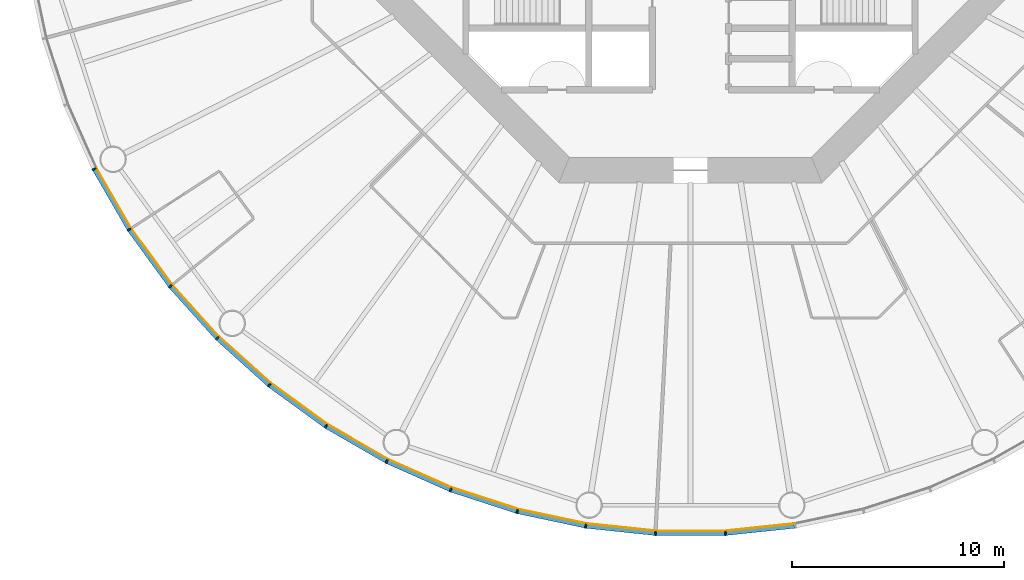
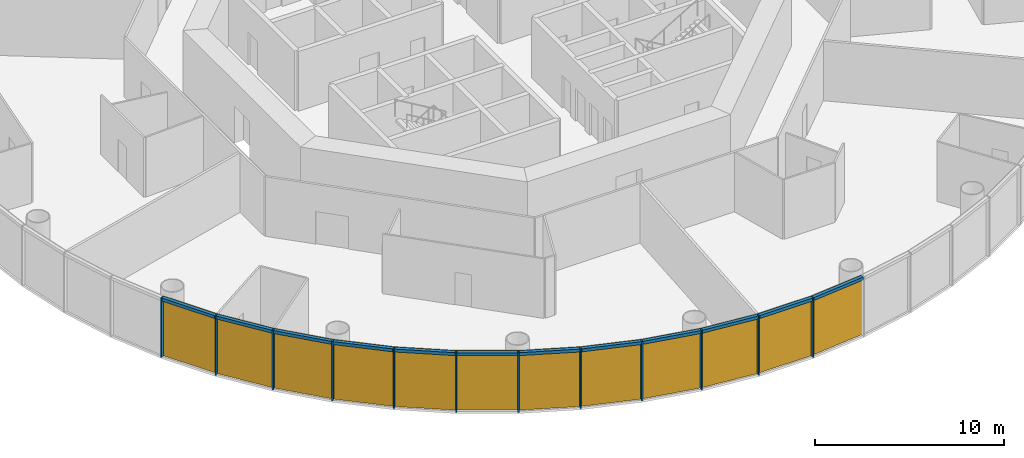
# One storey, part 7 of 13: 24 members, 4 curtain walls.
"""IFC4 building model written with IfcOpenShell, lengths in metres."""

from ifc_helpers import new_model, si_unit, direction, frame, origin, origin_2d, place, context, subcontext, project, spatial, polyline, rectangle, outline, extrude, material, layer, layer_set, material_profile, profile_set, type_object, element, aggregate, save


model = new_model("IFC4")

# Units and contexts
model_context = context("Model", 3, precision=1e-05, world=origin(), true_north=direction((0.0, 1.0)))
body_context = subcontext(model_context, "Body", "Model", "MODEL_VIEW")
ifc_project = project(units=[si_unit("LENGTHUNIT", "METRE"), si_unit("AREAUNIT", "SQUARE_METRE"), si_unit("VOLUMEUNIT", "CUBIC_METRE"), si_unit("PLANEANGLEUNIT", "RADIAN"), si_unit("MASSUNIT", "GRAM", prefix="KILO")], contexts=[model_context])

# Member
ifc_material_1 = material(Name="Anodised aluminium", Category="aluminium")
ifc_material_profile_1 = material_profile(ifc_material_1, rectangle(XDim=0.070068359375, YDim=0.199951171875, at=origin_2d()), Name="Mullion 70 x 200 mm anodised aluminium")
ifc_profile_set_1 = profile_set([ifc_material_profile_1], Name="Anodised aluminium")
member_type_1 = type_object("IfcMemberType", Name="Mullion 70 x 200 mm anodised aluminium", PredefinedType="MULLION", material=ifc_profile_set_1)
site_placement = place(None, origin())
building_placement = place(site_placement, origin())
storey_placement = place(building_placement, frame((0.0, 0.0, 84.0)))
member_1_placement = place(storey_placement, frame((61.84423828125, 65.65380859375, 0.0), z_axis=(0.0, 0.0, 1.0), x_axis=(0.45399049974, -0.891006524188, 0.0)))
member_1 = element("IfcMember", 1, at=member_1_placement, type_object=member_type_1, Name="MULLION L18-33", PredefinedType="MULLION", context=body_context, shape_type="SweptSolid", body=[
    extrude(rectangle(XDim=0.070068359375, YDim=0.199951171875, at=origin_2d()), origin(), (0.0, 0.0, 1.0), 3.85009765625),
])

member_2_placement = place(storey_placement, frame((63.498046875, 62.789306640625, 0.0), z_axis=(0.0, 0.0, 1.0), x_axis=(0.544639035015, -0.838670567945, 0.0)))
member_2 = element("IfcMember", 2, at=member_2_placement, type_object=member_type_1, Name="MULLION L18-34", PredefinedType="MULLION", context=body_context, shape_type="SweptSolid", body=[
    extrude(rectangle(XDim=0.070068359375, YDim=0.199951171875, at=origin_2d()), origin(), (0.0, 0.0, 1.0), 3.85009765625),
])

member_3_placement = place(storey_placement, frame((65.442138671875, 60.113525390625, 0.0), z_axis=(0.0, 0.0, 1.0), x_axis=(0.62932039105, -0.777145961457, 0.0)))
member_3 = element("IfcMember", 3, at=member_3_placement, type_object=member_type_1, Name="MULLION L18-35", PredefinedType="MULLION", context=body_context, shape_type="SweptSolid", body=[
    extrude(rectangle(XDim=0.070068359375, YDim=0.199951171875, at=origin_2d()), origin(), (0.0, 0.0, 1.0), 3.85009765625),
])

member_4_placement = place(storey_placement, frame((67.655517578125, 57.655517578125, 0.0), z_axis=(0.0, 0.0, 1.0), x_axis=(0.707106781187, -0.707106781187, 0.0)))
member_4 = element("IfcMember", 4, at=member_4_placement, type_object=member_type_1, Name="MULLION L18-36", PredefinedType="MULLION", context=body_context, shape_type="SweptSolid", body=[
    extrude(rectangle(XDim=0.070068359375, YDim=0.199951171875, at=origin_2d()), origin(), (0.0, 0.0, 1.0), 3.85009765625),
])

member_5_placement = place(storey_placement, frame((70.113525390625, 55.442138671875, 0.0), z_axis=(0.0, 0.0, 1.0), x_axis=(0.777145961457, -0.62932039105, 0.0)))
member_5 = element("IfcMember", 5, at=member_5_placement, type_object=member_type_1, Name="MULLION L18-37", PredefinedType="MULLION", context=body_context, shape_type="SweptSolid", body=[
    extrude(rectangle(XDim=0.070068359375, YDim=0.199951171875, at=origin_2d()), origin(), (0.0, 0.0, 1.0), 3.85009765625),
])

member_6_placement = place(storey_placement, frame((72.789306640625, 53.498046875, 0.0), z_axis=(0.0, 0.0, 1.0), x_axis=(0.838670567945, -0.544639035015, 0.0)))
member_6 = element("IfcMember", 6, at=member_6_placement, type_object=member_type_1, Name="MULLION L18-38", PredefinedType="MULLION", context=body_context, shape_type="SweptSolid", body=[
    extrude(rectangle(XDim=0.070068359375, YDim=0.199951171875, at=origin_2d()), origin(), (0.0, 0.0, 1.0), 3.85009765625),
])

member_7_placement = place(storey_placement, frame((75.65380859375, 51.84423828125, 0.0), z_axis=(0.0, 0.0, 1.0), x_axis=(0.891006524188, -0.45399049974, 0.0)))
member_7 = element("IfcMember", 7, at=member_7_placement, type_object=member_type_1, Name="MULLION L18-39", PredefinedType="MULLION", context=body_context, shape_type="SweptSolid", body=[
    extrude(rectangle(XDim=0.070068359375, YDim=0.199951171875, at=origin_2d()), origin(), (0.0, 0.0, 1.0), 3.85009765625),
])

member_8_placement = place(storey_placement, frame((78.675537109375, 50.498779296875, 0.0), z_axis=(0.0, 0.0, 1.0), x_axis=(0.933580426497, -0.358367949545, 0.0)))
member_8 = element("IfcMember", 8, at=member_8_placement, type_object=member_type_1, Name="MULLION L18-40", PredefinedType="MULLION", context=body_context, shape_type="SweptSolid", body=[
    extrude(rectangle(XDim=0.070068359375, YDim=0.199951171875, at=origin_2d()), origin(), (0.0, 0.0, 1.0), 3.85009765625),
])

member_9_placement = place(storey_placement, frame((81.8212890625, 49.476806640625, 0.0), z_axis=(0.0, 0.0, 1.0), x_axis=(0.965925826289, -0.258819045103, 0.0)))
member_9 = element("IfcMember", 9, at=member_9_placement, type_object=member_type_1, Name="MULLION L18-41", PredefinedType="MULLION", context=body_context, shape_type="SweptSolid", body=[
    extrude(rectangle(XDim=0.070068359375, YDim=0.199951171875, at=origin_2d()), origin(), (0.0, 0.0, 1.0), 3.85009765625),
])

member_10_placement = place(storey_placement, frame((85.056640625, 48.7890625, 0.0), z_axis=(0.0, 0.0, 1.0), x_axis=(0.987688340595, -0.15643446504, 0.0)))
member_10 = element("IfcMember", 10, at=member_10_placement, type_object=member_type_1, Name="MULLION L18-42", PredefinedType="MULLION", context=body_context, shape_type="SweptSolid", body=[
    extrude(rectangle(XDim=0.070068359375, YDim=0.199951171875, at=origin_2d()), origin(), (0.0, 0.0, 1.0), 3.85009765625),
])

member_11_placement = place(storey_placement, frame((88.34619140625, 48.443359375, 0.0), z_axis=(0.0, 0.0, 1.0), x_axis=(0.998629534755, -0.052335956243, 0.0)))
member_11 = element("IfcMember", 11, at=member_11_placement, type_object=member_type_1, Name="MULLION L18-43", PredefinedType="MULLION", context=body_context, shape_type="SweptSolid", body=[
    extrude(rectangle(XDim=0.070068359375, YDim=0.199951171875, at=origin_2d()), origin(), (0.0, 0.0, 1.0), 3.85009765625),
])

member_12_placement = place(storey_placement, frame((91.65380859375, 48.443359375, 0.0), z_axis=(0.0, 0.0, 1.0), x_axis=(0.998629534755, 0.052335956243, 0.0)))
member_12 = element("IfcMember", 12, at=member_12_placement, type_object=member_type_1, Name="MULLION L18-44", PredefinedType="MULLION", context=body_context, shape_type="SweptSolid", body=[
    extrude(rectangle(XDim=0.070068359375, YDim=0.199951171875, at=origin_2d()), origin(), (0.0, 0.0, 1.0), 3.85009765625),
])

ifc_material_2 = material(Name="Anodised aluminium", Category="aluminium")
ifc_material_profile_2 = material_profile(ifc_material_2, rectangle(XDim=0.199951171875, YDim=0.18994140625, at=origin_2d()), Name="Transom 190 x 200 mm anodised aluminium")
ifc_profile_set_2 = profile_set([ifc_material_profile_2], Name="Anodised aluminium")
member_type_2 = type_object("IfcMemberType", Name="Transom 190 x 200 mm anodised aluminium", PredefinedType="USERDEFINED", material=ifc_profile_set_2)
member_13_placement = place(storey_placement, frame((61.8642578125, 65.618896484375, 3.7548828125), z_axis=(0.500004055213, -0.866023062494, 0.0), x_axis=(0.866023062494, 0.500004055213, 0.0)))
member_13 = element("IfcMember", 13, at=member_13_placement, type_object=member_type_2, Name="TRANSOM L18-33", ObjectType="TRANSOM", PredefinedType="USERDEFINED", context=body_context, shape_type="SweptSolid", body=[
    extrude(rectangle(XDim=0.199951171875, YDim=0.18994140625, at=origin_2d()), origin(), (0.0, 0.0, 1.0), 3.22705078125),
])

member_14_placement = place(storey_placement, frame((63.521484375, 62.7568359375, 3.7548828125), z_axis=(0.587802790201, -0.809004252048, 0.0), x_axis=(0.809004252048, 0.587802790201, 0.0)))
member_14 = element("IfcMember", 14, at=member_14_placement, type_object=member_type_2, Name="TRANSOM L18-34", ObjectType="TRANSOM", PredefinedType="USERDEFINED", context=body_context, shape_type="SweptSolid", body=[
    extrude(rectangle(XDim=0.199951171875, YDim=0.18994140625, at=origin_2d()), origin(), (0.0, 0.0, 1.0), 3.227294921875),
])

member_15_placement = place(storey_placement, frame((65.468994140625, 60.08349609375, 3.7548828125), z_axis=(0.669144438484, -0.743132370743, 0.0), x_axis=(0.743132370743, 0.669144438484, 0.0)))
member_15 = element("IfcMember", 15, at=member_15_placement, type_object=member_type_2, Name="TRANSOM L18-35", ObjectType="TRANSOM", PredefinedType="USERDEFINED", context=body_context, shape_type="SweptSolid", body=[
    extrude(rectangle(XDim=0.199951171875, YDim=0.18994140625, at=origin_2d()), origin(), (0.0, 0.0, 1.0), 3.22705078125),
])

member_16_placement = place(storey_placement, frame((67.685302734375, 57.62841796875, 3.7548828125), z_axis=(0.743132370743, -0.669144438484, 0.0), x_axis=(0.669144438484, 0.743132370743, 0.0)))
member_16 = element("IfcMember", 16, at=member_16_placement, type_object=member_type_2, Name="TRANSOM L18-36", ObjectType="TRANSOM", PredefinedType="USERDEFINED", context=body_context, shape_type="SweptSolid", body=[
    extrude(rectangle(XDim=0.199951171875, YDim=0.18994140625, at=origin_2d()), origin(), (0.0, 0.0, 1.0), 3.22705078125),
])

member_17_placement = place(storey_placement, frame((70.14599609375, 55.41845703125, 3.7548828125), z_axis=(0.809004252048, -0.587802790201, 0.0), x_axis=(0.587802790201, 0.809004252048, 0.0)))
member_17 = element("IfcMember", 17, at=member_17_placement, type_object=member_type_2, Name="TRANSOM L18-37", ObjectType="TRANSOM", PredefinedType="USERDEFINED", context=body_context, shape_type="SweptSolid", body=[
    extrude(rectangle(XDim=0.199951171875, YDim=0.18994140625, at=origin_2d()), origin(), (0.0, 0.0, 1.0), 3.227294921875),
])

member_18_placement = place(storey_placement, frame((72.82421875, 53.477783203125, 3.7548828125), z_axis=(0.866023062494, -0.500004055213, 0.0), x_axis=(0.500004055213, 0.866023062494, 0.0)))
member_18 = element("IfcMember", 18, at=member_18_placement, type_object=member_type_2, Name="TRANSOM L18-38", ObjectType="TRANSOM", PredefinedType="USERDEFINED", context=body_context, shape_type="SweptSolid", body=[
    extrude(rectangle(XDim=0.199951171875, YDim=0.18994140625, at=origin_2d()), origin(), (0.0, 0.0, 1.0), 3.22705078125),
])

member_19_placement = place(storey_placement, frame((75.690673828125, 51.82763671875, 3.7548828125), z_axis=(0.913549291349, -0.406728032322, 0.0), x_axis=(0.406728032322, 0.913549291349, 0.0)))
member_19 = element("IfcMember", 19, at=member_19_placement, type_object=member_type_2, Name="TRANSOM L18-39", ObjectType="TRANSOM", PredefinedType="USERDEFINED", context=body_context, shape_type="SweptSolid", body=[
    extrude(rectangle(XDim=0.199951171875, YDim=0.18994140625, at=origin_2d()), origin(), (0.0, 0.0, 1.0), 3.22705078125),
])

member_20_placement = place(storey_placement, frame((78.7138671875, 50.486328125, 3.7548828125), z_axis=(0.951046855117, -0.309046726844, 0.0), x_axis=(0.309046726844, 0.951046855117, 0.0)))
member_20 = element("IfcMember", 20, at=member_20_placement, type_object=member_type_2, Name="TRANSOM L18-40", ObjectType="TRANSOM", PredefinedType="USERDEFINED", context=body_context, shape_type="SweptSolid", body=[
    extrude(rectangle(XDim=0.199951171875, YDim=0.18994140625, at=origin_2d()), origin(), (0.0, 0.0, 1.0), 3.22705078125),
])

member_21_placement = place(storey_placement, frame((81.860595703125, 49.46826171875, 3.7548828125), z_axis=(0.978153082647, -0.207885898771, 0.0), x_axis=(0.207885898771, 0.978153082647, 0.0)))
member_21 = element("IfcMember", 21, at=member_21_placement, type_object=member_type_2, Name="TRANSOM L18-41", ObjectType="TRANSOM", PredefinedType="USERDEFINED", context=body_context, shape_type="SweptSolid", body=[
    extrude(rectangle(XDim=0.199951171875, YDim=0.18994140625, at=origin_2d()), origin(), (0.0, 0.0, 1.0), 3.227294921875),
])

member_22_placement = place(storey_placement, frame((85.0966796875, 48.78466796875, 3.7548828125), z_axis=(0.994519537956, -0.104550890115, 0.0), x_axis=(0.104550890115, 0.994519537956, 0.0)))
member_22 = element("IfcMember", 22, at=member_22_placement, type_object=member_type_2, Name="TRANSOM L18-42", ObjectType="TRANSOM", PredefinedType="USERDEFINED", context=body_context, shape_type="SweptSolid", body=[
    extrude(rectangle(XDim=0.199951171875, YDim=0.18994140625, at=origin_2d()), origin(), (0.0, 0.0, 1.0), 3.22705078125),
])

member_23_placement = place(storey_placement, frame((88.386474609375, 48.443115234375, 3.7548828125), z_axis=(1.0, 0.0, 0.0), x_axis=(0.0, 1.0, 0.0)))
member_23 = element("IfcMember", 23, at=member_23_placement, type_object=member_type_2, Name="TRANSOM L18-43", ObjectType="TRANSOM", PredefinedType="USERDEFINED", context=body_context, shape_type="SweptSolid", body=[
    extrude(rectangle(XDim=0.199951171875, YDim=0.18994140625, at=origin_2d()), origin(), (0.0, 0.0, 1.0), 3.22705078125),
])

member_24_placement = place(storey_placement, frame((91.69384765625, 48.447265625, 3.7548828125), z_axis=(0.994519537956, 0.104550890115, 0.0), x_axis=(-0.104550890115, 0.994519537956, 0.0)))
member_24 = element("IfcMember", 24, at=member_24_placement, type_object=member_type_2, Name="TRANSOM L18-44", ObjectType="TRANSOM", PredefinedType="USERDEFINED", context=body_context, shape_type="SweptSolid", body=[
    extrude(rectangle(XDim=0.199951171875, YDim=0.18994140625, at=origin_2d()), origin(), (0.0, 0.0, 1.0), 3.22705078125),
])

# Site, building, storey
site = spatial("IfcSite", under=ifc_project, at=site_placement, CompositionType="ELEMENT")
building = spatial("IfcBuilding", under=site, at=building_placement, Name="Entoto Ring Tower", CompositionType="ELEMENT")
storey = spatial("IfcBuildingStorey", under=building, at=storey_placement, Name="L18", CompositionType="ELEMENT", Elevation=84.0)

# Curtain wall
ifc_material_3 = material(Name="Clear low-iron glass", Category="glass")
ifc_layer = layer(ifc_material_3, 0.035888671875)
ifc_layer_set = layer_set([ifc_layer], Name="Clear low-iron glass")
curtain_wall_type = type_object("IfcCurtainWallType", Name="Curtain wall system CW2 glazing 36 mm", PredefinedType="NOTDEFINED", material=ifc_layer_set)
curtain_wall_1_placement = place(storey_placement, origin())
curtain_wall_1 = element("IfcCurtainWall", 25, at=curtain_wall_1_placement, inside=storey, type_object=curtain_wall_type, Name="CW2 L18-12", PredefinedType="NOTDEFINED", context=body_context, shape_type="SweptSolid", body=[
    extrude(outline(polyline([(61.933349609375, 65.69921875), (63.581787109375, 62.84375), (65.52001953125, 60.176513671875), (67.72607421875, 57.72607421875), (67.751708984375, 57.751708984375), (65.5478515625, 60.198974609375), (63.612060546875, 62.863525390625), (61.96533203125, 65.715576171875), (61.933349609375, 65.69921875)])), origin(), (0.0, 0.0, 1.0), 3.85009765625),
])

aggregate(curtain_wall_1, [member_1, member_2, member_3, member_13, member_14, member_15])

curtain_wall_2_placement = place(storey_placement, origin())
curtain_wall_2 = element("IfcCurtainWall", 26, at=curtain_wall_2_placement, inside=storey, type_object=curtain_wall_type, Name="CW2 L18-13", PredefinedType="NOTDEFINED", context=body_context, shape_type="SweptSolid", body=[
    extrude(outline(polyline([(67.72607421875, 57.72607421875), (70.176513671875, 55.52001953125), (72.84375, 53.581787109375), (75.69921875, 51.933349609375), (75.715576171875, 51.96533203125), (72.863525390625, 53.612060546875), (70.198974609375, 55.5478515625), (67.751708984375, 57.751708984375), (67.72607421875, 57.72607421875)])), origin(), (0.0, 0.0, 1.0), 3.85009765625),
])

aggregate(curtain_wall_2, [member_4, member_5, member_6, member_16, member_17, member_18])

curtain_wall_3_placement = place(storey_placement, origin())
curtain_wall_3 = element("IfcCurtainWall", 27, at=curtain_wall_3_placement, inside=storey, type_object=curtain_wall_type, Name="CW2 L18-14", PredefinedType="NOTDEFINED", context=body_context, shape_type="SweptSolid", body=[
    extrude(outline(polyline([(75.69921875, 51.933349609375), (78.71142578125, 50.59228515625), (81.84716796875, 49.5732421875), (85.072265625, 48.8876953125), (85.077880859375, 48.92333984375), (81.8564453125, 49.608154296875), (78.724365234375, 50.6259765625), (75.715576171875, 51.96533203125), (75.69921875, 51.933349609375)])), origin(), (0.0, 0.0, 1.0), 3.85009765625),
])

aggregate(curtain_wall_3, [member_7, member_8, member_9, member_19, member_20, member_21])

curtain_wall_4_placement = place(storey_placement, origin())
curtain_wall_4 = element("IfcCurtainWall", 28, at=curtain_wall_4_placement, inside=storey, type_object=curtain_wall_type, Name="CW2 L18-15", PredefinedType="NOTDEFINED", context=body_context, shape_type="SweptSolid", body=[
    extrude(outline(polyline([(85.072265625, 48.8876953125), (88.351318359375, 48.543212890625), (91.648681640625, 48.543212890625), (94.927734375, 48.8876953125), (94.922119140625, 48.92333984375), (91.646728515625, 48.5791015625), (88.353271484375, 48.5791015625), (85.077880859375, 48.92333984375), (85.072265625, 48.8876953125)])), origin(), (0.0, 0.0, 1.0), 3.85009765625),
])

aggregate(curtain_wall_4, [member_10, member_11, member_12, member_22, member_23, member_24])

save(model, "model.ifc")
